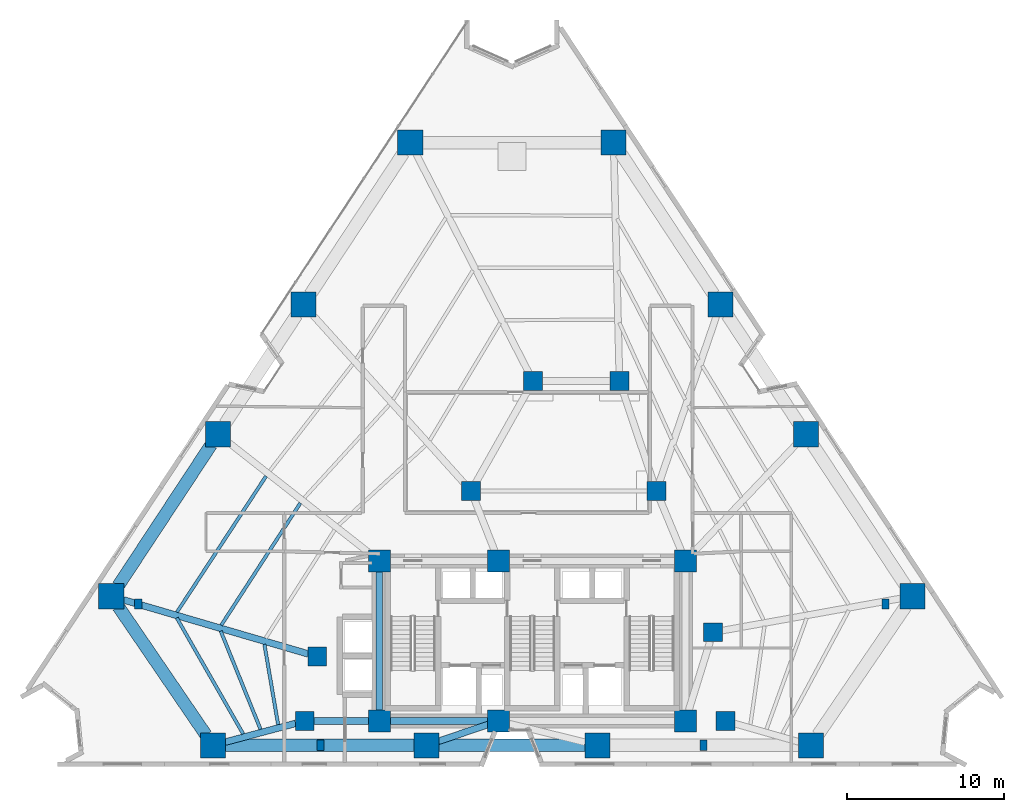
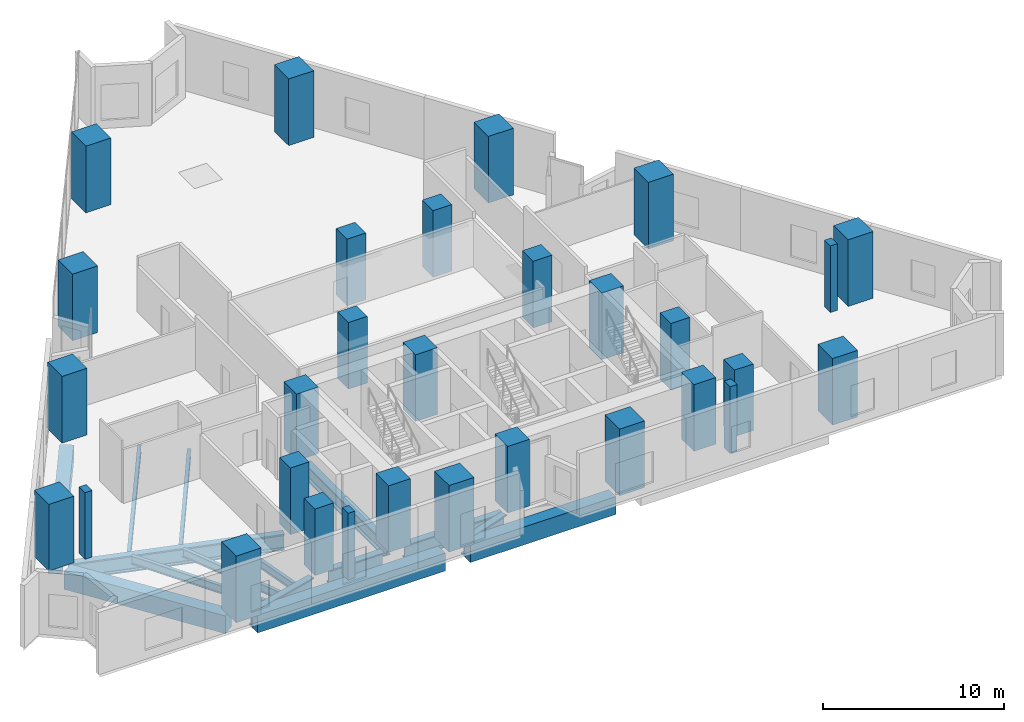
# One storey, part 1 of 12: 30 columns, 15 beams.
"""IFC4 building model written with IfcOpenShell, lengths in metres."""

from ifc_helpers import new_model, si_unit, direction, frame, origin, origin_2d, place, context, subcontext, project, spatial, rectangle, i_section, extrude, material, material_profile, profile_set, type_object, element, save


model = new_model("IFC4")

# Units and contexts
model_context = context("Model", 3, precision=1e-05, world=origin(), true_north=direction((0.0, 1.0)))
body_context = subcontext(model_context, "Body", "Model", "MODEL_VIEW")
ifc_project = project(units=[si_unit("LENGTHUNIT", "METRE"), si_unit("AREAUNIT", "SQUARE_METRE"), si_unit("VOLUMEUNIT", "CUBIC_METRE"), si_unit("PLANEANGLEUNIT", "RADIAN"), si_unit("MASSUNIT", "GRAM", prefix="KILO")], contexts=[model_context])

# Site, building, storey
site_placement = place(None, origin())
site = spatial("IfcSite", under=ifc_project, at=site_placement, CompositionType="ELEMENT")
building_placement = place(site_placement, origin())
building = spatial("IfcBuilding", under=site, at=building_placement, Name="Almagre Mirador Tower", CompositionType="ELEMENT")
storey_placement = place(building_placement, frame((0.0, 0.0, 12.89990234375)))
storey = spatial("IfcBuildingStorey", under=building, at=storey_placement, Name="L02", CompositionType="ELEMENT", Elevation=12.89990234375)

# Columns
ifc_material_1 = material(Name="Precast concrete C50/60", Category="concrete")
ifc_material_profile_1 = material_profile(ifc_material_1, rectangle(XDim=0.449951171875, YDim=0.64990234375, at=origin_2d()), Name="RC450X650")
ifc_profile_set_1 = profile_set([ifc_material_profile_1], Name="Precast concrete C50/60")
column_type_1 = type_object("IfcColumnType", Name="COL-PIL-450X650", PredefinedType="PILASTER", material=ifc_profile_set_1)
for number, where, z_axis, x_axis, name in (
    (1, (23.800048828125, 3.0, 0.0), (0.0, 0.0, 1.0), (1.0, 0.0, 0.0), "L02 expressed frame pilaster 01"),
    (2, (48.199951171875, 3.0, 0.0), (0.0, 0.0, 1.0), (1.0, 0.0, 0.0), "L02 expressed frame pilaster 02"),
    (3, (12.199951171875, 12.0, 0.0), (0.0, 0.0, 1.0), (1.0, 0.0, 0.0), "L02 expressed frame pilaster 03"),
    (4, (59.800048828125, 12.0, 0.0), (0.0, 0.0, 1.0), (1.0, 0.0, 0.0), "L02 expressed frame pilaster 04"),
):
    element("IfcColumn", number, at=place(storey_placement, frame(where, z_axis=z_axis, x_axis=x_axis)), inside=storey, type_object=column_type_1, Name=name, PredefinedType="PILASTER", context=body_context, shape_type="SweptSolid", body=[
        extrude(rectangle(XDim=0.449951171875, YDim=0.64990234375, at=origin_2d()), origin(), (0.0, 0.0, 1.0), 4.5),
    ])
ifc_material_2 = material(Name="Concrete C60/75", Category="concrete")
ifc_material_profile_2 = material_profile(ifc_material_2, rectangle(XDim=1.199951171875, YDim=1.199951171875, at=origin_2d()), Name="RC1200X1200")
ifc_profile_set_2 = profile_set([ifc_material_profile_2], Name="Concrete C60/75")
column_type_2 = type_object("IfcColumnType", Name="COL-RC1200", PredefinedType="COLUMN", material=ifc_profile_set_2)
for number, where, z_axis, x_axis, name in (
    (5, (22.800048828125, 4.550048828125, 0.0), (0.0, 0.0, 1.0), (1.0, 0.0, 0.0), "L02 interior transfer column MC1"),
    (6, (49.60009765625, 4.550048828125, 0.0), (0.0, 0.0, 1.0), (1.0, 0.0, 0.0), "L02 interior transfer column MC2"),
    (7, (48.800048828125, 10.199951171875, 0.0), (0.0, 0.0, 1.0), (1.0, 0.0, 0.0), "L02 interior transfer column MC3"),
    (8, (45.199951171875, 19.199951171875, 0.0), (0.0, 0.0, 1.0), (1.0, 0.0, 0.0), "L02 interior transfer column MC5"),
    (9, (42.85009765625, 26.199951171875, 0.0), (0.0, 0.0, 1.0), (1.0, 0.0, 0.0), "L02 interior transfer column MC6"),
    (10, (37.35009765625, 26.199951171875, 0.0), (0.0, 0.0, 1.0), (1.0, 0.0, 0.0), "L02 interior transfer column MC7"),
    (11, (33.39990234375, 19.199951171875, 0.0), (0.0, 0.0, 1.0), (1.0, 0.0, 0.0), "L02 interior transfer column MC8"),
    (12, (23.60009765625, 8.64990234375, 0.0), (0.0, 0.0, 1.0), (1.0, 0.0, 0.0), "L02 interior transfer column MC10"),
):
    element("IfcColumn", number, at=place(storey_placement, frame(where, z_axis=z_axis, x_axis=x_axis)), inside=storey, type_object=column_type_2, Name=name, PredefinedType="COLUMN", context=body_context, shape_type="SweptSolid", body=[
        extrude(rectangle(XDim=1.199951171875, YDim=1.199951171875, at=origin_2d()), origin(), (0.0, 0.0, 1.0), 4.5),
    ])
ifc_material_3 = material(Name="Concrete C60/75", Category="concrete")
ifc_material_profile_3 = material_profile(ifc_material_3, rectangle(XDim=1.39990234375, YDim=1.39990234375, at=origin_2d()), Name="RC1400X1400")
ifc_profile_set_3 = profile_set([ifc_material_profile_3], Name="Concrete C60/75")
column_type_3 = type_object("IfcColumnType", Name="COL-RC1400", PredefinedType="COLUMN", material=ifc_profile_set_3)
for number, where, z_axis, x_axis, name in (
    (13, (27.550048828125, 4.550048828125, 0.0), (0.0, 0.0, 1.0), (1.0, 0.0, 0.0), "L02 core spine column CC1"),
    (14, (35.14990234375, 4.550048828125, 0.0), (0.0, 0.0, 1.0), (1.0, 0.0, 0.0), "L02 core spine column CC2"),
    (15, (47.050048828125, 4.550048828125, 0.0), (0.0, 0.0, 1.0), (1.0, 0.0, 0.0), "L02 core spine column CC3"),
    (16, (27.550048828125, 14.75, 0.0), (0.0, 0.0, 1.0), (1.0, 0.0, 0.0), "L02 core spine column CC4"),
    (17, (35.14990234375, 14.75, 0.0), (0.0, 0.0, 1.0), (1.0, 0.0, 0.0), "L02 core spine column CC5"),
    (18, (47.050048828125, 14.75, 0.0), (0.0, 0.0, 1.0), (1.0, 0.0, 0.0), "L02 core spine column CC6"),
):
    element("IfcColumn", number, at=place(storey_placement, frame(where, z_axis=z_axis, x_axis=x_axis)), inside=storey, type_object=column_type_3, Name=name, PredefinedType="COLUMN", context=body_context, shape_type="SweptSolid", body=[
        extrude(rectangle(XDim=1.39990234375, YDim=1.39990234375, at=origin_2d()), origin(), (0.0, 0.0, 1.0), 4.5),
    ])
ifc_material_4 = material(Name="Concrete C70/85", Category="concrete")
ifc_material_profile_4 = material_profile(ifc_material_4, rectangle(XDim=1.60009765625, YDim=1.60009765625, at=origin_2d()), Name="RC1600X1600")
ifc_profile_set_4 = profile_set([ifc_material_profile_4], Name="Concrete C70/85")
column_type_4 = type_object("IfcColumnType", Name="COL-RC1600", PredefinedType="COLUMN", material=ifc_profile_set_4)
for number, where, z_axis, x_axis, name in (
    (19, (16.9599609375, 3.0, 0.0), (0.0, 0.0, 1.0), (1.0, 0.0, 0.0), "L02 perimeter column PC01"),
    (20, (30.56005859375, 3.0, 0.0), (0.0, 0.0, 1.0), (1.0, 0.0, 0.0), "L02 perimeter column PC02"),
    (21, (41.43994140625, 3.0, 0.0), (0.0, 0.0, 1.0), (1.0, 0.0, 0.0), "L02 perimeter column PC03"),
    (22, (55.0400390625, 3.0, 0.0), (0.0, 0.0, 1.0), (1.0, 0.0, 0.0), "L02 perimeter column PC04"),
    (23, (61.51806640625, 12.491943359375, 0.0), (0.0, 0.0, 1.0), (1.0, 0.0, 0.0), "L02 perimeter column PC05"),
    (24, (54.718017578125, 22.81201171875, 0.0), (0.0, 0.0, 1.0), (1.0, 0.0, 0.0), "L02 perimeter column PC06"),
    (25, (49.278076171875, 31.068115234375, 0.0), (0.0, 0.0, 1.0), (1.0, 0.0, 0.0), "L02 perimeter column PC07"),
    (26, (42.47802734375, 41.387939453125, 0.0), (0.0, 0.0, 1.0), (1.0, 0.0, 0.0), "L02 perimeter column PC08"),
    (27, (29.52197265625, 41.387939453125, 0.0), (0.0, 0.0, 1.0), (1.0, 0.0, 0.0), "L02 perimeter column PC09"),
    (28, (22.721923828125, 31.068115234375, 0.0), (0.0, 0.0, 1.0), (1.0, 0.0, 0.0), "L02 perimeter column PC10"),
    (29, (17.281982421875, 22.81201171875, 0.0), (0.0, 0.0, 1.0), (1.0, 0.0, 0.0), "L02 perimeter column PC11"),
    (30, (10.48193359375, 12.491943359375, 0.0), (0.0, 0.0, 1.0), (1.0, 0.0, 0.0), "L02 perimeter column PC12"),
):
    element("IfcColumn", number, at=place(storey_placement, frame(where, z_axis=z_axis, x_axis=x_axis)), inside=storey, type_object=column_type_4, Name=name, PredefinedType="COLUMN", context=body_context, shape_type="SweptSolid", body=[
        extrude(rectangle(XDim=1.60009765625, YDim=1.60009765625, at=origin_2d()), origin(), (0.0, 0.0, 1.0), 4.5),
    ])

# Beams
ifc_material_5 = material(Name="Steel ASTM A992 Grade 50", Category="steel")
ifc_material_profile_5 = material_profile(ifc_material_5, i_section(OverallWidth=0.214111328125, OverallDepth=0.549072265625, WebThickness=0.0146484375, FlangeThickness=0.023681640625, FilletRadius=0.01806640625, at=origin_2d()), Name="W21X93")
ifc_profile_set_5 = profile_set([ifc_material_profile_5], Name="Steel ASTM A992 Grade 50")
beam_type_1 = type_object("IfcBeamType", Name="BM-JST-W21X93", PredefinedType="JOIST", material=ifc_profile_set_5)
beam_1_placement = place(storey_placement, frame((20.339599609375, 20.142578125, -0.574462890625), z_axis=(-0.548057533709, -0.836440637311, 0.0), x_axis=(0.836440637311, -0.548057533709, 0.0)))
element("IfcBeam", 31, at=beam_1_placement, inside=storey, type_object=beam_type_1, Name="L02 secondary floor joist PC11-PC12.1", PredefinedType="JOIST", context=body_context, shape_type="SweptSolid", body=[
    extrude(i_section(OverallWidth=0.214111328125, OverallDepth=0.549072265625, WebThickness=0.0146484375, FlangeThickness=0.023681640625, FilletRadius=0.01806640625, at=origin_2d()), origin(), (0.0, 0.0, 1.0), 10.35791015625),
])
beam_2_placement = place(storey_placement, frame((22.52197265625, 18.429443359375, -0.574462890625), z_axis=(-0.543393311141, -0.839478236411, 0.0), x_axis=(0.839478236411, -0.543393311141, 0.0)))
element("IfcBeam", 32, at=beam_2_placement, inside=storey, type_object=beam_type_1, Name="L02 secondary floor joist PC11-PC12.2", PredefinedType="JOIST", context=body_context, shape_type="SweptSolid", body=[
    extrude(i_section(OverallWidth=0.214111328125, OverallDepth=0.549072265625, WebThickness=0.0146484375, FlangeThickness=0.023681640625, FilletRadius=0.01806640625, at=origin_2d()), origin(), (0.0, 0.0, 1.0), 9.264892578125),
])
beam_3_placement = place(storey_placement, frame((14.65185546875, 11.117431640625, -0.574462890625), z_axis=(0.496743635229, -0.867897321611, 0.0), x_axis=(0.867897321611, 0.496743635229, 0.0)))
element("IfcBeam", 33, at=beam_3_placement, inside=storey, type_object=beam_type_1, Name="L02 secondary floor joist PC12-PC01.1", PredefinedType="JOIST", context=body_context, shape_type="SweptSolid", body=[
    extrude(i_section(OverallWidth=0.214111328125, OverallDepth=0.549072265625, WebThickness=0.0146484375, FlangeThickness=0.023681640625, FilletRadius=0.01806640625, at=origin_2d()), origin(), (0.0, 0.0, 1.0), 8.520263671875),
])
beam_4_placement = place(storey_placement, frame((17.451904296875, 10.27734375, -0.574462890625), z_axis=(0.375521248996, -0.926813784723, 0.0), x_axis=(0.926813784723, 0.375521248996, 0.0)))
element("IfcBeam", 34, at=beam_4_placement, inside=storey, type_object=beam_type_1, Name="L02 secondary floor joist PC12-PC01.2", PredefinedType="JOIST", context=body_context, shape_type="SweptSolid", body=[
    extrude(i_section(OverallWidth=0.214111328125, OverallDepth=0.549072265625, WebThickness=0.0146484375, FlangeThickness=0.023681640625, FilletRadius=0.01806640625, at=origin_2d()), origin(), (0.0, 0.0, 1.0), 6.75048828125),
])
beam_5_placement = place(storey_placement, frame((20.23388671875, 9.437255859375, -0.574462890625), z_axis=(0.16829423407, -0.985736806038, 0.0), x_axis=(0.985736806038, 0.16829423407, 0.0)))
element("IfcBeam", 35, at=beam_5_placement, inside=storey, type_object=beam_type_1, Name="L02 secondary floor joist PC12-PC01.3", PredefinedType="JOIST", context=body_context, shape_type="SweptSolid", body=[
    extrude(i_section(OverallWidth=0.214111328125, OverallDepth=0.549072265625, WebThickness=0.0146484375, FlangeThickness=0.023681640625, FilletRadius=0.01806640625, at=origin_2d()), origin(), (0.0, 0.0, 1.0), 5.19189453125),
])
ifc_material_6 = material(Name="Precast concrete C50/60", Category="concrete")
ifc_material_profile_6 = material_profile(ifc_material_6, rectangle(XDim=0.800048828125, YDim=1.199951171875, at=origin_2d()), Name="RC800X1200")
ifc_profile_set_6 = profile_set([ifc_material_profile_6], Name="Precast concrete C50/60")
beam_type_2 = type_object("IfcBeamType", Name="BM-SPN-RC800X1200", PredefinedType="SPANDREL", material=ifc_profile_set_6)
beam_6_placement = place(storey_placement, frame((17.760009765625, 3.0, -0.89990234375), z_axis=(1.0, 0.0, 0.0), x_axis=(0.0, 1.0, 0.0)))
element("IfcBeam", 36, at=beam_6_placement, inside=storey, type_object=beam_type_2, Name="L02 perimeter spandrel beam PC01-PC02", PredefinedType="SPANDREL", context=body_context, shape_type="SweptSolid", body=[
    extrude(rectangle(XDim=0.800048828125, YDim=1.199951171875, at=origin_2d()), origin(), (0.0, 0.0, 1.0), 12.0),
])
beam_7_placement = place(storey_placement, frame((31.360107421875, 3.0, -0.89990234375), z_axis=(1.0, 0.0, 0.0), x_axis=(0.0, 1.0, 0.0)))
element("IfcBeam", 37, at=beam_7_placement, inside=storey, type_object=beam_type_2, Name="L02 perimeter spandrel beam PC02-PC03", PredefinedType="SPANDREL", context=body_context, shape_type="SweptSolid", body=[
    extrude(rectangle(XDim=0.800048828125, YDim=1.199951171875, at=origin_2d()), origin(), (0.0, 0.0, 1.0), 9.27978515625),
])
beam_8_placement = place(storey_placement, frame((16.841796875, 22.14404296875, -0.89990234375), z_axis=(-0.550204417923, -0.835029998562, 0.0), x_axis=(0.835029998562, -0.550204417923, 0.0)))
element("IfcBeam", 38, at=beam_8_placement, inside=storey, type_object=beam_type_2, Name="L02 perimeter spandrel beam PC11-PC12", PredefinedType="SPANDREL", context=body_context, shape_type="SweptSolid", body=[
    extrude(rectangle(XDim=0.800048828125, YDim=1.199951171875, at=origin_2d()), origin(), (0.0, 0.0, 1.0), 10.759033203125),
])
beam_9_placement = place(storey_placement, frame((10.93310546875, 11.831298828125, -0.89990234375), z_axis=(0.563695189414, -0.825982889309, 0.0), x_axis=(0.825982889309, 0.563695189414, 0.0)))
element("IfcBeam", 39, at=beam_9_placement, inside=storey, type_object=beam_type_2, Name="L02 perimeter spandrel beam PC12-PC01", PredefinedType="SPANDREL", context=body_context, shape_type="SweptSolid", body=[
    extrude(rectangle(XDim=0.800048828125, YDim=1.199951171875, at=origin_2d()), origin(), (0.0, 0.0, 1.0), 9.891845703125),
])
ifc_material_7 = material(Name="Steel ASTM A992 Grade 50", Category="steel")
ifc_material_profile_7 = material_profile(ifc_material_7, i_section(OverallWidth=0.43701171875, OverallDepth=1.010986328125, WebThickness=0.041015625, FlangeThickness=0.073974609375, FilletRadius=0.028076171875, at=origin_2d()), Name="W36X529")
ifc_profile_set_7 = profile_set([ifc_material_profile_7], Name="Steel ASTM A992 Grade 50")
beam_type_3 = type_object("IfcBeamType", Name="BM-STL-W36X529", PredefinedType="BEAM", material=ifc_profile_set_7)
beam_10_placement = place(storey_placement, frame((28.25, 4.550048828125, -0.805419921875), z_axis=(1.0, 0.0, 0.0), x_axis=(0.0, 1.0, 0.0)))
element("IfcBeam", 40, at=beam_10_placement, inside=storey, type_object=beam_type_3, Name="L02 core tie girder CC1-CC2", PredefinedType="BEAM", context=body_context, shape_type="SweptSolid", body=[
    extrude(i_section(OverallWidth=0.43701171875, OverallDepth=1.010986328125, WebThickness=0.041015625, FlangeThickness=0.073974609375, FilletRadius=0.028076171875, at=origin_2d()), origin(), (0.0, 0.0, 1.0), 6.199951171875),
])
beam_11_placement = place(storey_placement, frame((27.550048828125, 5.25, -0.805419921875), z_axis=(0.0, 1.0, 0.0), x_axis=(-1.0, 0.0, 0.0)))
element("IfcBeam", 41, at=beam_11_placement, inside=storey, type_object=beam_type_3, Name="L02 core tie girder CC1-CC4", PredefinedType="BEAM", context=body_context, shape_type="SweptSolid", body=[
    extrude(i_section(OverallWidth=0.43701171875, OverallDepth=1.010986328125, WebThickness=0.041015625, FlangeThickness=0.073974609375, FilletRadius=0.028076171875, at=origin_2d()), origin(), (0.0, 0.0, 1.0), 8.800048828125),
])
beam_12_placement = place(storey_placement, frame((23.39990234375, 4.550048828125, -0.805419921875), z_axis=(1.0, 0.0, 0.0), x_axis=(0.0, 1.0, 0.0)))
element("IfcBeam", 42, at=beam_12_placement, inside=storey, type_object=beam_type_3, Name="L02 core tie girder MC1-CC1", PredefinedType="BEAM", context=body_context, shape_type="SweptSolid", body=[
    extrude(i_section(OverallWidth=0.43701171875, OverallDepth=1.010986328125, WebThickness=0.041015625, FlangeThickness=0.073974609375, FilletRadius=0.028076171875, at=origin_2d()), origin(), (0.0, 0.0, 1.0), 3.4501953125),
])
ifc_material_8 = material(Name="Steel ASTM A913 Grade 65", Category="steel")
ifc_material_profile_8 = material_profile(ifc_material_8, i_section(OverallWidth=0.424072265625, OverallDepth=1.092041015625, WebThickness=0.04541015625, FlangeThickness=0.08203125, FilletRadius=0.030029296875, at=origin_2d()), Name="W40X593")
ifc_profile_set_8 = profile_set([ifc_material_profile_8], Name="Steel ASTM A913 Grade 65")
beam_type_4 = type_object("IfcBeamType", Name="BM-STL-W40X593", PredefinedType="BEAM", material=ifc_profile_set_8)
beam_13_placement = place(storey_placement, frame((17.733154296875, 3.205078125, -0.845947265625), z_axis=(0.966536281721, 0.256529951697, 0.0), x_axis=(-0.256529951697, 0.966536281721, 0.0)))
element("IfcBeam", 43, at=beam_13_placement, inside=storey, type_object=beam_type_4, Name="L02 radial floor girder PC01-MC1", PredefinedType="BEAM", context=body_context, shape_type="SweptSolid", body=[
    extrude(i_section(OverallWidth=0.424072265625, OverallDepth=1.092041015625, WebThickness=0.04541015625, FlangeThickness=0.08203125, FilletRadius=0.030029296875, at=origin_2d()), origin(), (0.0, 0.0, 1.0), 4.642333984375),
])
beam_14_placement = place(storey_placement, frame((31.318115234375, 3.256103515625, -0.845947265625), z_axis=(0.947457161142, 0.319882678182, 0.0), x_axis=(-0.319882678182, 0.947457161142, 0.0)))
element("IfcBeam", 44, at=beam_14_placement, inside=storey, type_object=beam_type_4, Name="L02 radial floor girder PC02-CC2", PredefinedType="BEAM", context=body_context, shape_type="SweptSolid", body=[
    extrude(i_section(OverallWidth=0.424072265625, OverallDepth=1.092041015625, WebThickness=0.04541015625, FlangeThickness=0.08203125, FilletRadius=0.030029296875, at=origin_2d()), origin(), (0.0, 0.0, 1.0), 3.344482421875),
])
beam_15_placement = place(storey_placement, frame((11.249755859375, 12.26708984375, -0.845947265625), z_axis=(0.959686493559, -0.281072649115, 0.0), x_axis=(0.281072649115, 0.959686493559, 0.0)))
element("IfcBeam", 45, at=beam_15_placement, inside=storey, type_object=beam_type_4, Name="L02 radial floor girder PC12-MC10", PredefinedType="BEAM", context=body_context, shape_type="SweptSolid", body=[
    extrude(i_section(OverallWidth=0.424072265625, OverallDepth=1.092041015625, WebThickness=0.04541015625, FlangeThickness=0.08203125, FilletRadius=0.030029296875, at=origin_2d()), origin(), (0.0, 0.0, 1.0), 12.26904296875),
])

save(model, "model.ifc")
